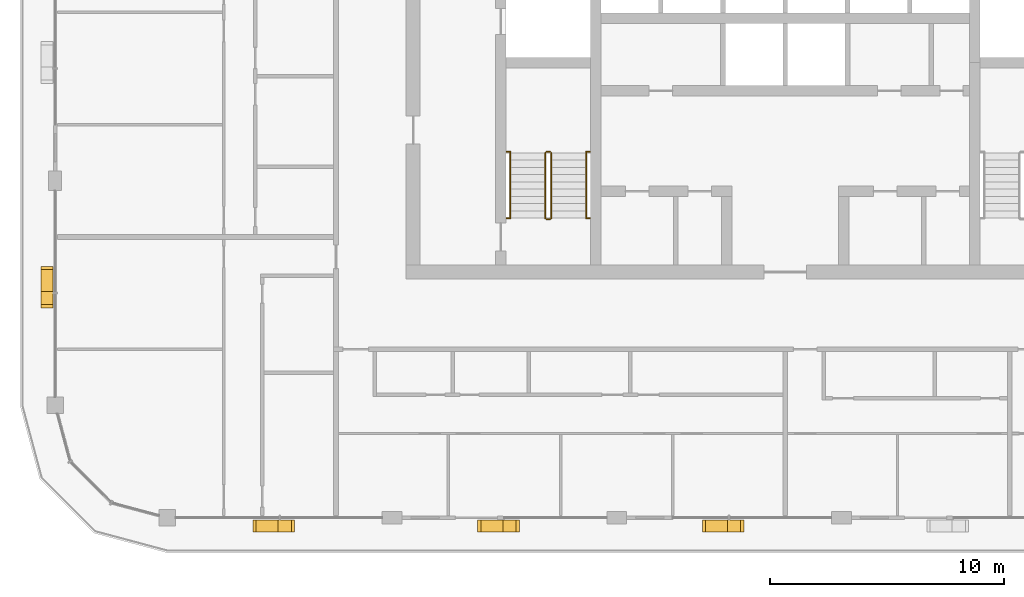
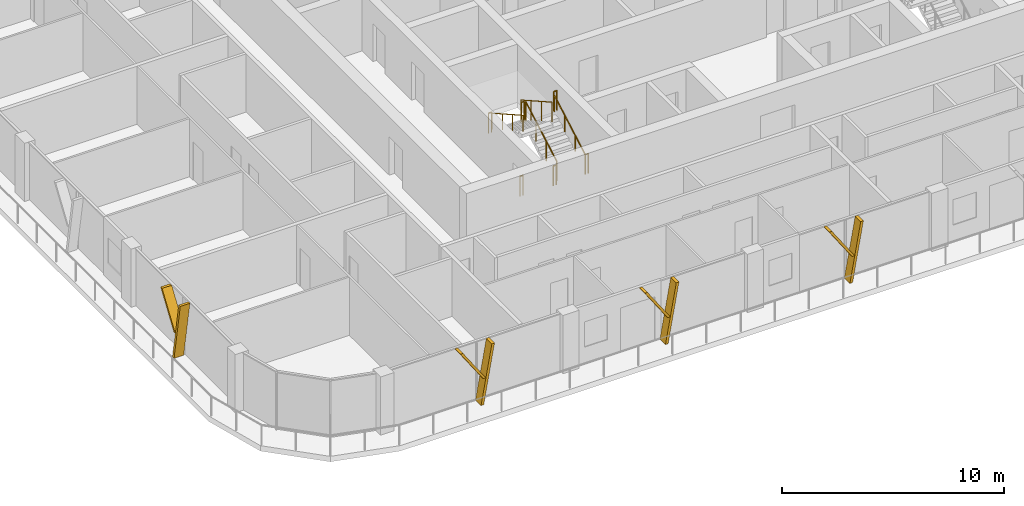
# One storey, part 16 of 21: 10 railings, 8 shading devices.
"""IFC4 building model written with IfcOpenShell, lengths in metres."""

from ifc_helpers import new_model, si_unit, direction, frame, origin, origin_2d, place, context, subcontext, project, spatial, polyline, circle, outline, extrude, material, type_object, element, save


model = new_model("IFC4")

# Units and contexts
model_context = context("Model", 3, precision=1e-05, world=origin(), true_north=direction((0.0, 1.0)))
body_context = subcontext(model_context, "Body", "Model", "MODEL_VIEW")
ifc_project = project(units=[si_unit("LENGTHUNIT", "METRE"), si_unit("AREAUNIT", "SQUARE_METRE"), si_unit("VOLUMEUNIT", "CUBIC_METRE"), si_unit("PLANEANGLEUNIT", "RADIAN"), si_unit("MASSUNIT", "GRAM", prefix="KILO")], contexts=[model_context])

# Site, building, storey
site_placement = place(None, origin())
site = spatial("IfcSite", under=ifc_project, at=site_placement, CompositionType="ELEMENT")
building_placement = place(site_placement, origin())
building = spatial("IfcBuilding", under=site, at=building_placement, Name="Madar Terraces", CompositionType="ELEMENT")
storey_placement = place(building_placement, frame((0.0, 0.0, 238.699951171875)))
storey = spatial("IfcBuildingStorey", under=building, at=storey_placement, Name="L62", CompositionType="ELEMENT", Elevation=238.699951171875)

# Shading devices
ifc_material_1 = material(Name="Aluminium, black anodised", Category="aluminium")
shading_device_type = type_object("IfcShadingDeviceType", Name="Facade fin blade 140 x 500", PredefinedType="USERDEFINED", material=ifc_material_1)
shading_device_1_placement = place(storey_placement, frame((9.530029296875, 4.449951171875, 0.0), z_axis=(0.0, 0.0, 1.0), x_axis=(1.0, 0.0, 0.0)))
element("IfcShadingDevice", 1, at=shading_device_1_placement, inside=storey, type_object=shading_device_type, Name="FIN L62 S1", ObjectType="FIN", PredefinedType="USERDEFINED", context=body_context, shape_type="SweptSolid", body=[
    extrude(outline(polyline([(0.0, 0.0), (0.139892578125, 0.0), (0.704345703125, 3.199951171875), (0.564208984375, 3.199951171875), (0.0, 0.0)])), frame((0.0, 0.25, 0.0), z_axis=(0.0, -1.0, 0.0), x_axis=(1.0, 0.0, 0.0)), (0.0, 0.0, 1.0), 0.5),
])
shading_device_2_placement = place(storey_placement, frame((9.643798828125, 4.449951171875, 1.43994140625), z_axis=(0.0, 0.0, 1.0), x_axis=(1.0, 0.0, 0.0)))
element("IfcShadingDevice", 2, at=shading_device_2_placement, inside=storey, type_object=shading_device_type, Name="FIN L62 S1 branch", ObjectType="FIN", PredefinedType="USERDEFINED", context=body_context, shape_type="SweptSolid", body=[
    extrude(outline(polyline([(0.0, 0.0), (0.14013671875, 0.0), (-1.049560546875, 1.760009765625), (-1.189697265625, 1.760009765625), (0.0, 0.0)])), frame((0.0, 0.25, 0.0), z_axis=(0.0, -1.0, 0.0), x_axis=(1.0, 0.0, 0.0)), (0.0, 0.0, 1.0), 0.5),
])
shading_device_3_placement = place(storey_placement, frame((19.1298828125, 4.449951171875, 0.0), z_axis=(0.0, 0.0, 1.0), x_axis=(1.0, 0.0, 0.0)))
element("IfcShadingDevice", 3, at=shading_device_3_placement, inside=storey, type_object=shading_device_type, Name="FIN L62 S2", ObjectType="FIN", PredefinedType="USERDEFINED", context=body_context, shape_type="SweptSolid", body=[
    extrude(outline(polyline([(0.0, 0.0), (0.14013671875, 0.0), (0.704345703125, 3.199951171875), (0.564208984375, 3.199951171875), (0.0, 0.0)])), frame((0.0, 0.25, 0.0), z_axis=(0.0, -1.0, 0.0), x_axis=(1.0, 0.0, 0.0)), (0.0, 0.0, 1.0), 0.5),
])
shading_device_4_placement = place(storey_placement, frame((19.243896484375, 4.449951171875, 1.43994140625), z_axis=(0.0, 0.0, 1.0), x_axis=(1.0, 0.0, 0.0)))
element("IfcShadingDevice", 4, at=shading_device_4_placement, inside=storey, type_object=shading_device_type, Name="FIN L62 S2 branch", ObjectType="FIN", PredefinedType="USERDEFINED", context=body_context, shape_type="SweptSolid", body=[
    extrude(outline(polyline([(0.0, 0.0), (0.139892578125, 0.0), (-1.049560546875, 1.760009765625), (-1.189697265625, 1.760009765625), (0.0, 0.0)])), frame((0.0, 0.25, 0.0), z_axis=(0.0, -1.0, 0.0), x_axis=(1.0, 0.0, 0.0)), (0.0, 0.0, 1.0), 0.5),
])
shading_device_5_placement = place(storey_placement, frame((28.72998046875, 4.449951171875, 0.0), z_axis=(0.0, 0.0, 1.0), x_axis=(1.0, 0.0, 0.0)))
element("IfcShadingDevice", 5, at=shading_device_5_placement, inside=storey, type_object=shading_device_type, Name="FIN L62 S3", ObjectType="FIN", PredefinedType="USERDEFINED", context=body_context, shape_type="SweptSolid", body=[
    extrude(outline(polyline([(0.0, 0.0), (0.14013671875, 0.0), (0.704345703125, 3.199951171875), (0.564208984375, 3.199951171875), (0.0, 0.0)])), frame((0.0, 0.25, 0.0), z_axis=(0.0, -1.0, 0.0), x_axis=(1.0, 0.0, 0.0)), (0.0, 0.0, 1.0), 0.5),
])
shading_device_6_placement = place(storey_placement, frame((28.843994140625, 4.449951171875, 1.43994140625), z_axis=(0.0, 0.0, 1.0), x_axis=(1.0, 0.0, 0.0)))
element("IfcShadingDevice", 6, at=shading_device_6_placement, inside=storey, type_object=shading_device_type, Name="FIN L62 S3 branch", ObjectType="FIN", PredefinedType="USERDEFINED", context=body_context, shape_type="SweptSolid", body=[
    extrude(outline(polyline([(0.0, 0.0), (0.139892578125, 0.0), (-1.049560546875, 1.760009765625), (-1.189697265625, 1.760009765625), (0.0, 0.0)])), frame((0.0, 0.25, 0.0), z_axis=(0.0, -1.0, 0.0), x_axis=(1.0, 0.0, 0.0)), (0.0, 0.0, 1.0), 0.5),
])
shading_device_7_placement = place(storey_placement, frame((-0.35009765625, 14.469970703125, 0.0), z_axis=(0.0, 0.0, 1.0), x_axis=(0.0, -1.0, 0.0)))
element("IfcShadingDevice", 7, at=shading_device_7_placement, inside=storey, type_object=shading_device_type, Name="FIN L62 W4", ObjectType="FIN", PredefinedType="USERDEFINED", context=body_context, shape_type="SweptSolid", body=[
    extrude(outline(polyline([(0.0, 0.0), (0.139892578125, 0.0), (0.704345703125, 3.199951171875), (0.564208984375, 3.199951171875), (0.0, 0.0)])), frame((0.0, 0.25, 0.0), z_axis=(0.0, -1.0, 0.0), x_axis=(1.0, 0.0, 0.0)), (0.0, 0.0, 1.0), 0.5),
])
shading_device_8_placement = place(storey_placement, frame((-0.35009765625, 14.356201171875, 1.43994140625), z_axis=(0.0, 0.0, 1.0), x_axis=(0.0, -1.0, 0.0)))
element("IfcShadingDevice", 8, at=shading_device_8_placement, inside=storey, type_object=shading_device_type, Name="FIN L62 W4 branch", ObjectType="FIN", PredefinedType="USERDEFINED", context=body_context, shape_type="SweptSolid", body=[
    extrude(outline(polyline([(0.0, 0.0), (0.14013671875, 0.0), (-1.049560546875, 1.760009765625), (-1.189697265625, 1.760009765625), (0.0, 0.0)])), frame((0.0, 0.25, 0.0), z_axis=(0.0, -1.0, 0.0), x_axis=(1.0, 0.0, 0.0)), (0.0, 0.0, 1.0), 0.5),
])

# Railings
ifc_material_2 = material(Name="Stainless steel railing", Category="steel")
railing_type_1 = type_object("IfcRailingType", Name="Stair guard 1100", PredefinedType="GUARDRAIL", material=ifc_material_2)
railing_1_placement = place(storey_placement, frame((21.199951171875, 17.60009765625, 0.175048828125)))
element("IfcRailing", 9, at=railing_1_placement, inside=storey, type_object=railing_type_1, Name="L62 ST1 stair guard 1", PredefinedType="GUARDRAIL", context=body_context, shape_type="SweptSolid", body=[
    extrude(circle(Radius=0.02392578125, at=origin_2d()), frame((0.0, 0.0, 1.076171875), z_axis=(0.0, 0.870815363784, 0.491610213684), x_axis=(-1.0, 0.0, 0.0)), (0.0, 0.0, 1.0), 3.20361328125),
    extrude(circle(Radius=0.02099609375, at=origin_2d()), origin(), (0.0, 0.0, 1.0), 1.052001953125),
    extrude(circle(Radius=0.02099609375, at=origin_2d()), frame((0.0, 0.929931640625, 0.52490234375)), (0.0, 0.0, 1.0), 1.052001953125),
    extrude(circle(Radius=0.02099609375, at=origin_2d()), frame((0.0, 1.85986328125, 1.050048828125)), (0.0, 0.0, 1.0), 1.052001953125),
    extrude(circle(Radius=0.02099609375, at=origin_2d()), frame((0.0, 2.789794921875, 1.574951171875)), (0.0, 0.0, 1.0), 1.052001953125),
])
railing_2_placement = place(storey_placement, frame((21.14990234375, 20.43994140625, 1.75)))
element("IfcRailing", 10, at=railing_2_placement, inside=storey, type_object=railing_type_1, Name="L62 ST1 stair guard 2", PredefinedType="GUARDRAIL", context=body_context, shape_type="SweptSolid", body=[
    extrude(circle(Radius=0.02392578125, at=origin_2d()), frame((0.0, 0.0, 1.076171875), z_axis=(-1.0, 0.0, 0.0), x_axis=(0.0, -1.0, 0.0)), (0.0, 0.0, 1.0), 0.14990234375),
    extrude(circle(Radius=0.02099609375, at=origin_2d()), origin(), (0.0, 0.0, 1.0), 1.052001953125),
    extrude(circle(Radius=0.02099609375, at=origin_2d()), frame((-0.14990234375, 0.0, 0.0)), (0.0, 0.0, 1.0), 1.052001953125),
])
railing_3_placement = place(storey_placement, frame((20.949951171875, 20.389892578125, 1.925048828125)))
element("IfcRailing", 11, at=railing_3_placement, inside=storey, type_object=railing_type_1, Name="L62 ST1 stair guard 3", PredefinedType="GUARDRAIL", context=body_context, shape_type="SweptSolid", body=[
    extrude(circle(Radius=0.02392578125, at=origin_2d()), frame((0.0, 0.0, 1.076171875), z_axis=(0.0, -0.870815363784, 0.491610213684), x_axis=(1.0, 0.0, 0.0)), (0.0, 0.0, 1.0), 3.20361328125),
    extrude(circle(Radius=0.02099609375, at=origin_2d()), origin(), (0.0, 0.0, 1.0), 1.052001953125),
    extrude(circle(Radius=0.02099609375, at=origin_2d()), frame((0.0, -0.929931640625, 0.52490234375)), (0.0, 0.0, 1.0), 1.052001953125),
    extrude(circle(Radius=0.02099609375, at=origin_2d()), frame((0.0, -1.85986328125, 1.050048828125)), (0.0, 0.0, 1.0), 1.052001953125),
    extrude(circle(Radius=0.02099609375, at=origin_2d()), frame((0.0, -2.789794921875, 1.574951171875)), (0.0, 0.0, 1.0), 1.052001953125),
])
railing_4_placement = place(storey_placement, frame((21.14990234375, 17.550048828125, 0.0)))
element("IfcRailing", 12, at=railing_4_placement, inside=storey, type_object=railing_type_1, Name="L62 ST1 stair guard 4", PredefinedType="GUARDRAIL", context=body_context, shape_type="SweptSolid", body=[
    extrude(circle(Radius=0.02392578125, at=origin_2d()), frame((0.0, 0.0, 1.076171875), z_axis=(-1.0, 0.0, 0.0), x_axis=(0.0, -1.0, 0.0)), (0.0, 0.0, 1.0), 0.14990234375),
    extrude(circle(Radius=0.02099609375, at=origin_2d()), origin(), (0.0, 0.0, 1.0), 1.052001953125),
    extrude(circle(Radius=0.02099609375, at=origin_2d()), frame((-0.14990234375, 0.0, 0.0)), (0.0, 0.0, 1.0), 1.052001953125),
])
for number, where, name in (
    (13, (19.294921875, 20.43994140625, 1.75), "L62 stair guard seat 1"),
    (14, (22.699951171875, 20.43994140625, 1.75), "L62 stair guard seat 2"),
    (15, (19.294921875, 17.60009765625, 0.0), "L62 stair guard floor 1"),
    (16, (22.699951171875, 17.60009765625, 0.0), "L62 stair guard floor 2"),
):
    element("IfcRailing", number, at=place(storey_placement, frame(where)), inside=storey, type_object=railing_type_1, Name=name, PredefinedType="GUARDRAIL", context=body_context, shape_type="SweptSolid", body=[
        extrude(circle(Radius=0.02392578125, at=origin_2d()), frame((0.0, 0.0, 1.076171875), z_axis=(1.0, 0.0, 0.0), x_axis=(0.0, 1.0, 0.0)), (0.0, 0.0, 1.0), 0.155029296875),
        extrude(circle(Radius=0.02099609375, at=origin_2d()), origin(), (0.0, 0.0, 1.0), 1.052001953125),
        extrude(circle(Radius=0.02099609375, at=origin_2d()), frame((0.155029296875, 0.0, 0.0)), (0.0, 0.0, 1.0), 1.052001953125),
    ])
ifc_material_3 = material(Name="Stainless steel railing", Category="steel")
railing_type_2 = type_object("IfcRailingType", Name="Stair handrail 900", PredefinedType="HANDRAIL", material=ifc_material_3)
railing_5_placement = place(storey_placement, frame((22.699951171875, 17.60009765625, 0.175048828125)))
element("IfcRailing", 17, at=railing_5_placement, inside=storey, type_object=railing_type_2, Name="L62 ST1 stair handrail 1", PredefinedType="HANDRAIL", context=body_context, shape_type="SweptSolid", body=[
    extrude(circle(Radius=0.02392578125, at=origin_2d()), frame((0.0, 0.0, 0.8759765625), z_axis=(0.0, 0.870815363784, 0.491610213684), x_axis=(-1.0, 0.0, 0.0)), (0.0, 0.0, 1.0), 3.20361328125),
    extrude(circle(Radius=0.02099609375, at=origin_2d()), origin(), (0.0, 0.0, 1.0), 0.851806640625),
    extrude(circle(Radius=0.02099609375, at=origin_2d()), frame((0.0, 0.929931640625, 0.52490234375)), (0.0, 0.0, 1.0), 0.851806640625),
    extrude(circle(Radius=0.02099609375, at=origin_2d()), frame((0.0, 1.85986328125, 1.050048828125)), (0.0, 0.0, 1.0), 0.851806640625),
    extrude(circle(Radius=0.02099609375, at=origin_2d()), frame((0.0, 2.789794921875, 1.574951171875)), (0.0, 0.0, 1.0), 0.851806640625),
])
railing_6_placement = place(storey_placement, frame((19.449951171875, 20.389892578125, 1.925048828125)))
element("IfcRailing", 18, at=railing_6_placement, inside=storey, type_object=railing_type_2, Name="L62 ST1 stair handrail 2", PredefinedType="HANDRAIL", context=body_context, shape_type="SweptSolid", body=[
    extrude(circle(Radius=0.02392578125, at=origin_2d()), frame((0.0, 0.0, 0.8759765625), z_axis=(0.0, -0.870815363784, 0.491610213684), x_axis=(1.0, 0.0, 0.0)), (0.0, 0.0, 1.0), 3.20361328125),
    extrude(circle(Radius=0.02099609375, at=origin_2d()), origin(), (0.0, 0.0, 1.0), 0.851806640625),
    extrude(circle(Radius=0.02099609375, at=origin_2d()), frame((0.0, -0.929931640625, 0.52490234375)), (0.0, 0.0, 1.0), 0.851806640625),
    extrude(circle(Radius=0.02099609375, at=origin_2d()), frame((0.0, -1.85986328125, 1.050048828125)), (0.0, 0.0, 1.0), 0.851806640625),
    extrude(circle(Radius=0.02099609375, at=origin_2d()), frame((0.0, -2.789794921875, 1.574951171875)), (0.0, 0.0, 1.0), 0.851806640625),
])

save(model, "model.ifc")
